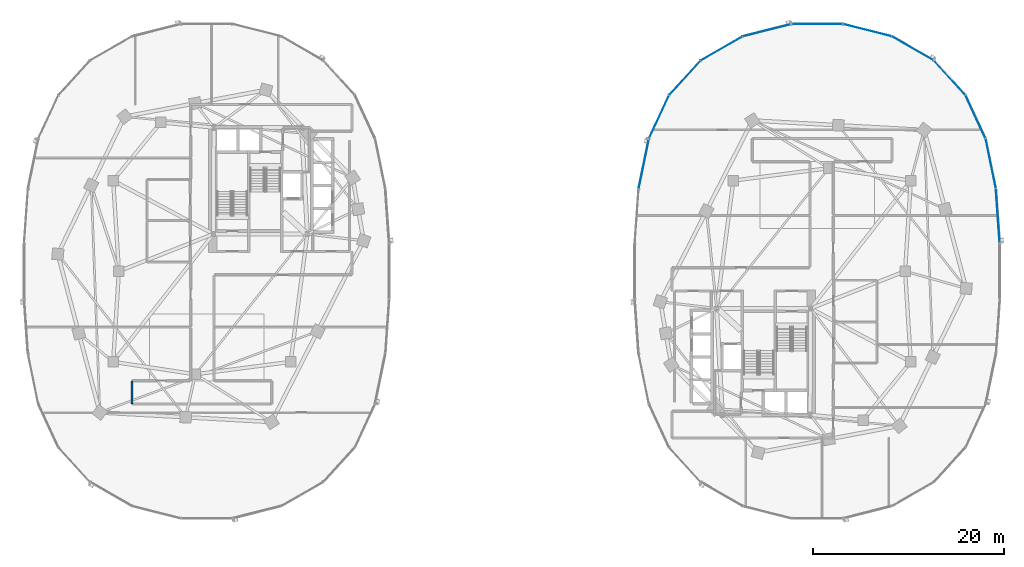
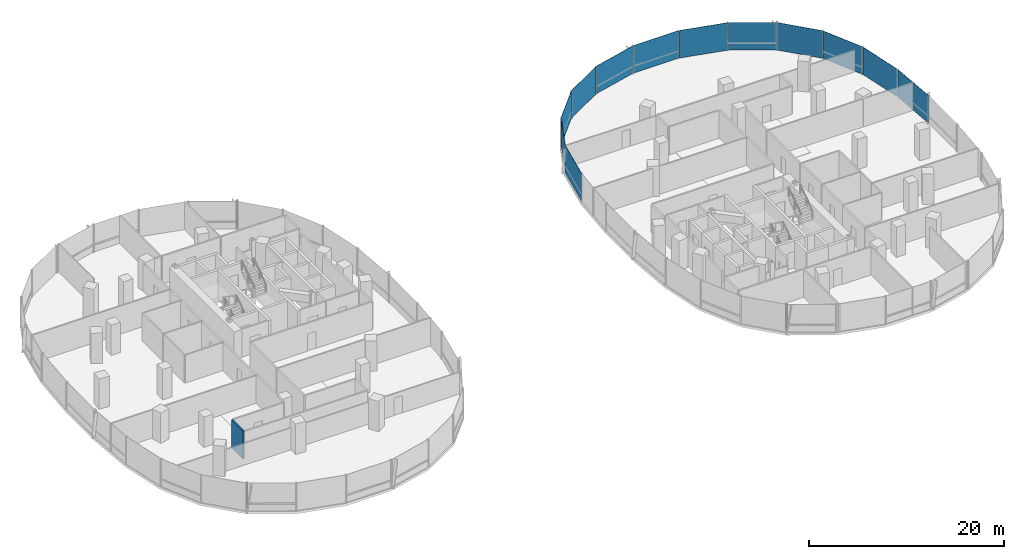
# One storey, part 10 of 21: 12 plates, 1 wall, 2 elements without a shape of their own.
"""IFC4 building model written with IfcOpenShell, lengths in metres."""

import ifcopenshell
import ifcopenshell.guid

model = None  # the IFC model being written
_history = None  # IfcOwnerHistory: only IFC2X3 demands one
_inside = {}  # id of a spatial element -> (the spatial element, [elements in it])
_under = {}  # id of a project, library or spatial element -> (it, [spatial elements below it])
_declared = {}  # id of a project -> (the project, [libraries it declares])
_typed = {}  # id of a type object -> (the type object, [elements of that type])
_made_of = {}  # id of a material, layer set ... -> (it, [elements and type objects made of it])


def new_model(schema):
    """Start an empty IFC model of exactly this schema.

    Asked for "IFC4X3", IfcOpenShell would pick the latest addendum, in which some entities
    have other attributes; the version numbers below select the first issue.
    IFC2X3 requires an IfcOwnerHistory on every rooted entity: one is made here for all.
    """
    global model, _history
    if schema == "IFC4X3":
        model = ifcopenshell.file(schema_version=(4, 3, 0, 0))
    else:
        model = ifcopenshell.file(schema=schema)
    _inside.clear()
    _under.clear()
    _declared.clear()
    _typed.clear()
    _made_of.clear()
    _history = None
    if model.schema == "IFC2X3":
        org = make("IfcOrganization", Name="unknown")
        user = make(
            "IfcPersonAndOrganization",
            ThePerson=make("IfcPerson", FamilyName="unknown"),
            TheOrganization=org,
        )
        app = make(
            "IfcApplication",
            ApplicationDeveloper=org,
            Version="unknown",
            ApplicationFullName="unknown",
            ApplicationIdentifier="unknown",
        )
        _history = make(
            "IfcOwnerHistory",
            OwningUser=user,
            OwningApplication=app,
            ChangeAction="ADDED",
            CreationDate=0,
        )
    return model


def make(cls, **values):
    """One entity of the class cls with the attributes given. An attribute that is None is left unset."""
    return model.create_entity(
        cls, **{name: value for name, value in values.items() if value is not None}
    )


def rooted(cls, **values):
    """An entity with a GlobalId (a new one), such as an element, a storey or a relation."""
    return make(cls, GlobalId=ifcopenshell.guid.new(), OwnerHistory=_history, **values)


def si_unit(unit_type, name, prefix=None):
    """IfcSIUnit, for example si_unit("LENGTHUNIT", "METRE", prefix="MILLI")."""
    return make("IfcSIUnit", UnitType=unit_type, Prefix=prefix, Name=name)


def assignment(units):
    """IfcUnitAssignment: the units of a project."""
    return None if units is None else make("IfcUnitAssignment", Units=units)


def point(xyz):
    """IfcCartesianPoint."""
    return None if xyz is None else make("IfcCartesianPoint", Coordinates=xyz)


def direction(xyz):
    """IfcDirection."""
    return None if xyz is None else make("IfcDirection", DirectionRatios=xyz)


def frame(location, z_axis=None, x_axis=None):
    """IfcAxis2Placement3D, a coordinate frame: its origin and axes. An axis left out is left unset."""
    return make(
        "IfcAxis2Placement3D",
        Location=point(location),
        Axis=direction(z_axis),
        RefDirection=direction(x_axis),
    )


def frame_2d(location, x_axis=None):
    """IfcAxis2Placement2D, a coordinate frame in the plane: its origin and x axis."""
    return make(
        "IfcAxis2Placement2D", Location=point(location), RefDirection=direction(x_axis)
    )


def origin():
    """The frame at (0, 0, 0) with its axes left unset."""
    return frame((0.0, 0.0, 0.0))


def origin_2d():
    """The frame at (0, 0) in the plane with its x axis left unset."""
    return frame_2d((0.0, 0.0))


def place(relative_to, where):
    """IfcLocalPlacement: puts the frame where relative to a parent placement (None: the world)."""
    return make(
        "IfcLocalPlacement", PlacementRelTo=relative_to, RelativePlacement=where
    )


def context(
    kind, dimensions, precision=None, world=None, true_north=None, identifier=None
):
    """IfcGeometricRepresentationContext, for example the 3D "Model" context."""
    return make(
        "IfcGeometricRepresentationContext",
        ContextIdentifier=identifier,
        ContextType=kind,
        CoordinateSpaceDimension=dimensions,
        Precision=precision,
        WorldCoordinateSystem=world,
        TrueNorth=true_north,
    )


def subcontext(parent, identifier, kind, view, scale=None):
    """IfcGeometricRepresentationSubContext, for example "Body" below "Model"."""
    return make(
        "IfcGeometricRepresentationSubContext",
        ContextIdentifier=identifier,
        ContextType=kind,
        ParentContext=parent,
        TargetScale=scale,
        TargetView=view,
    )


def project(units=None, contexts=None):
    """IfcProject with its units and contexts."""
    return rooted(
        "IfcProject",
        Name="project",
        RepresentationContexts=contexts,
        UnitsInContext=assignment(units),
    )


def spatial(cls, under=None, at=None, **own):
    """A site, building, storey or space (cls), placed at a placement, below another one or the project."""
    s = rooted(cls, ObjectPlacement=at, **own)
    if under is not None:
        _under.setdefault(under.id(), (under, []))[1].append(s)
    return s


def profile(cls, at=None, kind="AREA", **sizes):
    """A parametric profile (cls). Its sizes go by their IFC names, for example OverallWidth=200.0."""
    return make(cls, ProfileType=kind, Position=at, **sizes)


def rectangle(**sizes):
    """IfcRectangleProfileDef."""
    return profile("IfcRectangleProfileDef", **sizes)


def extrude(swept, where, along, depth):
    """IfcExtrudedAreaSolid: the profile swept, set in the frame where, extruded along a direction by depth."""
    return make(
        "IfcExtrudedAreaSolid",
        SweptArea=swept,
        Position=where,
        ExtrudedDirection=direction(along),
        Depth=depth,
    )


def shape(context_of_items, identifier, shape_type, items):
    """IfcShapeRepresentation: the items that make up one representation, for example the "Body"."""
    return make(
        "IfcShapeRepresentation",
        ContextOfItems=context_of_items,
        RepresentationIdentifier=identifier,
        RepresentationType=shape_type,
        Items=items,
    )


def material(Name=None, Category=None):
    """IfcMaterial."""
    return make("IfcMaterial", Name=Name, Category=Category)


def layer(
    of_material, thickness, ventilated=None, Name=None, Category=None, Priority=None
):
    """IfcMaterialLayer: one layer of a wall or slab, of a material (None: an air gap)."""
    return make(
        "IfcMaterialLayer",
        Material=of_material,
        LayerThickness=thickness,
        IsVentilated=ventilated,
        Name=Name,
        Category=Category,
        Priority=Priority,
    )


def layer_set(layers, Name=None):
    """IfcMaterialLayerSet."""
    return make("IfcMaterialLayerSet", MaterialLayers=layers, LayerSetName=Name)


def made_of(thing, what):
    """Note that an element or type object is made of a material, layer set ...; save() writes the relation."""
    if what is not None:
        _made_of.setdefault(what.id(), (what, []))[1].append(thing)
    return thing


def type_object(cls, material=None, **own):
    """A type object (cls), such as IfcWallType, which elements share."""
    return made_of(rooted(cls, **own), material)


def element(
    cls,
    number,
    at=None,
    inside=None,
    cuts=None,
    type_object=None,
    material=None,
    context=None,
    identifier="Body",
    shape_type=None,
    held_by="IfcProductDefinitionShape",
    body=None,
    shapes=None,
    **own,
):
    """One element of the class cls, such as IfcWall. Its Tag is "e" and its number.

    at: its placement. inside: the storey or other place that contains it. cuts: it is an
    opening in that element (IfcRelVoidsElement). A single representation is given by context,
    identifier, shape_type and body (its items); several are given by shapes. held_by: the class
    of the entity that holds the representations. save() writes the other relations.
    """
    e = rooted(cls, Tag="e%d" % number, ObjectPlacement=at, **own)
    if body is not None:
        shapes = [shape(context, identifier, shape_type, body)]
    if shapes is not None:
        e.Representation = make(held_by, Representations=shapes)
    if inside is not None:
        _inside.setdefault(inside.id(), (inside, []))[1].append(e)
    if cuts is not None:
        rooted(
            "IfcRelVoidsElement", RelatingBuildingElement=cuts, RelatedOpeningElement=e
        )
    if type_object is not None:
        _typed.setdefault(type_object.id(), (type_object, []))[1].append(e)
    return made_of(e, material)


def aggregate(whole, parts):
    """IfcRelAggregates: a whole, such as a stair, and the parts it consists of."""
    return rooted("IfcRelAggregates", RelatingObject=whole, RelatedObjects=parts)


def save(model, path):
    """Write the relations noted so far, then the file.

    IfcRelAggregates (storeys below a building ...), IfcRelContainedInSpatialStructure (elements
    in a storey), IfcRelDefinesByType, IfcRelAssociatesMaterial and IfcRelDeclares: one each for
    every whole, place, type object, material and project.
    """
    for whole, parts in _under.values():
        aggregate(whole, parts)
    for where, things in _inside.values():
        rooted(
            "IfcRelContainedInSpatialStructure",
            RelatedElements=things,
            RelatingStructure=where,
        )
    for kind, things in _typed.values():
        rooted("IfcRelDefinesByType", RelatedObjects=things, RelatingType=kind)
    for what, things in _made_of.values():
        rooted("IfcRelAssociatesMaterial", RelatedObjects=things, RelatingMaterial=what)
    for by, libraries in _declared.values():
        rooted("IfcRelDeclares", RelatingContext=by, RelatedDefinitions=libraries)
    model.write(path)


model = new_model("IFC4")

# Units and contexts
model_context = context("Model", 3, precision=1e-05, world=origin(), true_north=direction((0.0, 1.0)))
body_context = subcontext(model_context, "Body", "Model", "MODEL_VIEW")
ifc_project = project(units=[si_unit("LENGTHUNIT", "METRE"), si_unit("AREAUNIT", "SQUARE_METRE"), si_unit("VOLUMEUNIT", "CUBIC_METRE"), si_unit("PLANEANGLEUNIT", "RADIAN"), si_unit("MASSUNIT", "GRAM", prefix="KILO"), si_unit("THERMODYNAMICTEMPERATUREUNIT", "KELVIN"), si_unit("POWERUNIT", "WATT")], contexts=[model_context])

# Site, building, storey
site_placement = place(None, origin())
site = spatial("IfcSite", under=ifc_project, at=site_placement, CompositionType="ELEMENT")
building_placement = place(site_placement, origin())
building = spatial("IfcBuilding", under=site, at=building_placement, Name="Cundina Bronze Exchange", CompositionType="ELEMENT")
storey_placement = place(building_placement, frame((0.0, 0.0, 58.199951171875)))
storey = spatial("IfcBuildingStorey", under=building, at=storey_placement, Name="L14", CompositionType="ELEMENT", Elevation=58.199951171875)

# Curtain wall, plates
ifc_material_1 = material(Name="Anodised Bronze Aluminium 6063-T6", Category="aluminium")
curtain_wall_type = type_object("IfcCurtainWallType", Name="CWS-TRD-LOW", PredefinedType="NOTDEFINED", material=ifc_material_1)
curtain_wall_1_placement = place(storey_placement, origin())
curtain_wall_1 = element("IfcCurtainWall", 1, at=curtain_wall_1_placement, inside=storey, type_object=curtain_wall_type, Name="L14 CW-02 Curtain Wall Run CWR-L14-E1", PredefinedType="NOTDEFINED")
ifc_material_2 = material(Name="Heat-Strengthened Solar-Control Bronze Safety Glass 28mm", Category="glass")
ifc_layer_1 = layer(ifc_material_2, 0.028076171875, Name="Heat-Strengthened Solar-Control Bronze Safety Glass 28mm", Category="glass")
ifc_layer_set_1 = layer_set([ifc_layer_1], Name="Heat-Strengthened Solar-Control Bronze Safety Glass 28mm")
plate_type_1 = type_object("IfcPlateType", Name="PLT-GLZ-VIS28", PredefinedType="CURTAIN_PANEL", material=ifc_layer_set_1)
plate_1_placement = place(storey_placement, frame((50.18408203125, 11.269775390625, 0.02001953125), z_axis=(0.0, 0.0, 1.0), x_axis=(-0.201419845156, 0.979505000486, 0.0)))
plate_1 = element("IfcPlate", 2, at=plate_1_placement, type_object=plate_type_1, Name="CW-02 Glazed Panel 2", PredefinedType="CURTAIN_PANEL", context=body_context, shape_type="SweptSolid", body=[
    extrude(rectangle(XDim=5.306640625, YDim=0.028076171875, at=origin_2d()), origin(), (0.0, 0.0, 1.0), 3.4599609375),
])
plate_2_placement = place(storey_placement, frame((48.586181640625, 16.177734375, 0.02001953125), z_axis=(0.0, 0.0, 1.0), x_axis=(-0.42084583328, 0.907132175932, 0.0)))
plate_2 = element("IfcPlate", 3, at=plate_2_placement, type_object=plate_type_1, Name="CW-02 Glazed Panel 3", PredefinedType="CURTAIN_PANEL", context=body_context, shape_type="SweptSolid", body=[
    extrude(rectangle(XDim=4.966552734375, YDim=0.028076171875, at=origin_2d()), origin(), (0.0, 0.0, 1.0), 3.4599609375),
])
plate_3_placement = place(storey_placement, frame((45.8740234375, 20.267333984375, 0.02001953125), z_axis=(0.0, 0.0, 1.0), x_axis=(-0.674276610219, 0.73847887777, 0.0)))
plate_3 = element("IfcPlate", 4, at=plate_3_placement, type_object=plate_type_1, Name="CW-02 Glazed Panel 4", PredefinedType="CURTAIN_PANEL", context=body_context, shape_type="SweptSolid", body=[
    extrude(rectangle(XDim=4.86328125, YDim=0.028076171875, at=origin_2d()), origin(), (0.0, 0.0, 1.0), 3.4599609375),
])
plate_4_placement = place(storey_placement, frame((42.019287109375, 23.34423828125, 0.02001953125), z_axis=(0.0, 0.0, 1.0), x_axis=(-0.867105478933, 0.498124571171, 0.0)))
plate_4 = element("IfcPlate", 5, at=plate_4_placement, type_object=plate_type_1, Name="CW-02 Glazed Panel 5", PredefinedType="CURTAIN_PANEL", context=body_context, shape_type="SweptSolid", body=[
    extrude(rectangle(XDim=5.021240234375, YDim=0.028076171875, at=origin_2d()), origin(), (0.0, 0.0, 1.0), 3.4599609375),
])
plate_5_placement = place(storey_placement, frame((32.0, 25.905029296875, 0.02001953125), z_axis=(0.0, 0.0, 1.0), x_axis=(-1.0, 0.0, 0.0)))
plate_5 = element("IfcPlate", 6, at=plate_5_placement, type_object=plate_type_1, Name="CW-02 Glazed Panel 7", PredefinedType="CURTAIN_PANEL", context=body_context, shape_type="SweptSolid", body=[
    extrude(rectangle(XDim=5.323974609375, YDim=0.028076171875, at=origin_2d()), origin(), (0.0, 0.0, 1.0), 3.4599609375),
])

curtain_wall_2_placement = place(storey_placement, origin())
curtain_wall_2 = element("IfcCurtainWall", 7, at=curtain_wall_2_placement, inside=storey, type_object=curtain_wall_type, Name="L14 CW-02 Curtain Wall Run CWR-L14-E2", PredefinedType="NOTDEFINED")
plate_6_placement = place(storey_placement, frame((26.744384765625, 25.256591796875, 0.02001953125), z_axis=(0.0, 0.0, 1.0), x_axis=(-0.969488149345, -0.245138182011, 0.0)))
plate_6 = element("IfcPlate", 8, at=plate_6_placement, type_object=plate_type_1, Name="CW-02 Glazed Panel 1", PredefinedType="CURTAIN_PANEL", context=body_context, shape_type="SweptSolid", body=[
    extrude(rectangle(XDim=5.2333984375, YDim=0.028076171875, at=origin_2d()), origin(), (0.0, 0.0, 1.0), 3.4599609375),
])
plate_7_placement = place(storey_placement, frame((21.980712890625, 23.34423828125, 0.02001953125), z_axis=(0.0, 0.0, 1.0), x_axis=(-0.867105478933, -0.498124571171, 0.0)))
plate_7 = element("IfcPlate", 9, at=plate_7_placement, type_object=plate_type_1, Name="CW-02 Glazed Panel 2", PredefinedType="CURTAIN_PANEL", context=body_context, shape_type="SweptSolid", body=[
    extrude(rectangle(XDim=5.021240234375, YDim=0.028076171875, at=origin_2d()), origin(), (0.0, 0.0, 1.0), 3.4599609375),
])
plate_8_placement = place(storey_placement, frame((18.1259765625, 20.267333984375, 0.02001953125), z_axis=(0.0, 0.0, 1.0), x_axis=(-0.674276610219, -0.73847887777, 0.0)))
plate_8 = element("IfcPlate", 10, at=plate_8_placement, type_object=plate_type_1, Name="CW-02 Glazed Panel 3", PredefinedType="CURTAIN_PANEL", context=body_context, shape_type="SweptSolid", body=[
    extrude(rectangle(XDim=4.86328125, YDim=0.028076171875, at=origin_2d()), origin(), (0.0, 0.0, 1.0), 3.4599609375),
])
plate_9_placement = place(storey_placement, frame((15.413818359375, 16.177734375, 0.02001953125), z_axis=(0.0, 0.0, 1.0), x_axis=(-0.42084583328, -0.907132175932, 0.0)))
plate_9 = element("IfcPlate", 11, at=plate_9_placement, type_object=plate_type_1, Name="CW-02 Glazed Panel 4", PredefinedType="CURTAIN_PANEL", context=body_context, shape_type="SweptSolid", body=[
    extrude(rectangle(XDim=4.966552734375, YDim=0.028076171875, at=origin_2d()), origin(), (0.0, 0.0, 1.0), 3.4599609375),
])

# Plate
ifc_material_3 = material(Name="Dark Bronze Spandrel Glass Panel 32mm", Category="glass")
ifc_layer_2 = layer(ifc_material_3, 0.031982421875, Name="Dark Bronze Spandrel Glass Panel 32mm", Category="glass")
ifc_layer_set_2 = layer_set([ifc_layer_2], Name="Dark Bronze Spandrel Glass Panel 32mm")
plate_type_2 = type_object("IfcPlateType", Name="PLT-SPN-BRZ32", PredefinedType="CURTAIN_PANEL", material=ifc_layer_set_2)
plate_10_placement = place(storey_placement, frame((50.9267578125, 5.783935546875, 0.02001953125), z_axis=(0.0, 0.0, 1.0), x_axis=(-0.070278787473, 0.997527389113, 0.0)))
plate_10 = element("IfcPlate", 12, at=plate_10_placement, type_object=plate_type_2, Name="CW-02 Glazed Panel 1", PredefinedType="CURTAIN_PANEL", context=body_context, shape_type="SweptSolid", body=[
    extrude(rectangle(XDim=5.644287109375, YDim=0.031982421875, at=origin_2d()), origin(), (0.0, 0.0, 1.0), 3.4599609375),
])

plate_11_placement = place(storey_placement, frame((37.255615234375, 25.256591796875, 0.02001953125), z_axis=(0.0, 0.0, 1.0), x_axis=(-0.969488149345, 0.245138182011, 0.0)))
plate_11 = element("IfcPlate", 13, at=plate_11_placement, type_object=plate_type_2, Name="CW-02 Glazed Panel 6", PredefinedType="CURTAIN_PANEL", context=body_context, shape_type="SweptSolid", body=[
    extrude(rectangle(XDim=5.2333984375, YDim=0.031982421875, at=origin_2d()), origin(), (0.0, 0.0, 1.0), 3.4599609375),
])

aggregate(curtain_wall_1, [plate_10, plate_1, plate_2, plate_3, plate_4, plate_11, plate_5])

plate_12_placement = place(storey_placement, frame((13.81591796875, 11.269775390625, 0.02001953125), z_axis=(0.0, 0.0, 1.0), x_axis=(-0.201419845156, -0.979505000486, 0.0)))
plate_12 = element("IfcPlate", 14, at=plate_12_placement, type_object=plate_type_2, Name="CW-02 Glazed Panel 5", PredefinedType="CURTAIN_PANEL", context=body_context, shape_type="SweptSolid", body=[
    extrude(rectangle(XDim=5.306640625, YDim=0.031982421875, at=origin_2d()), origin(), (0.0, 0.0, 1.0), 3.4599609375),
])

aggregate(curtain_wall_2, [plate_6, plate_7, plate_8, plate_9, plate_12])

# Wall
ifc_material_4 = material(Name="Gypsum Fireboard Partition EI120")
ifc_layer_3 = layer(ifc_material_4, 0.179931640625, Name="Gypsum Fireboard Partition EI120")
ifc_layer_set_3 = layer_set([ifc_layer_3], Name="Gypsum Fireboard Partition EI120")
wall_type = type_object("IfcWallType", Name="WL-COR-180", PredefinedType="PARTITIONING", material=ifc_layer_set_3)
wall_placement = place(storey_placement, frame((-39.820068359375, -11.521484375, 0.0), z_axis=(0.0, 0.0, 1.0), x_axis=(0.0, -1.0, 0.0)))
element("IfcWall", 15, at=wall_placement, inside=storey, type_object=wall_type, Name="L14 Interior Partition 025", PredefinedType="PARTITIONING", context=body_context, shape_type="SweptSolid", body=[
    extrude(rectangle(XDim=2.35693359375, YDim=0.179931640625, at=frame_2d((1.178466796875, 0.0))), origin(), (0.0, 0.0, 1.0), 3.5),
])

save(model, "model.ifc")
